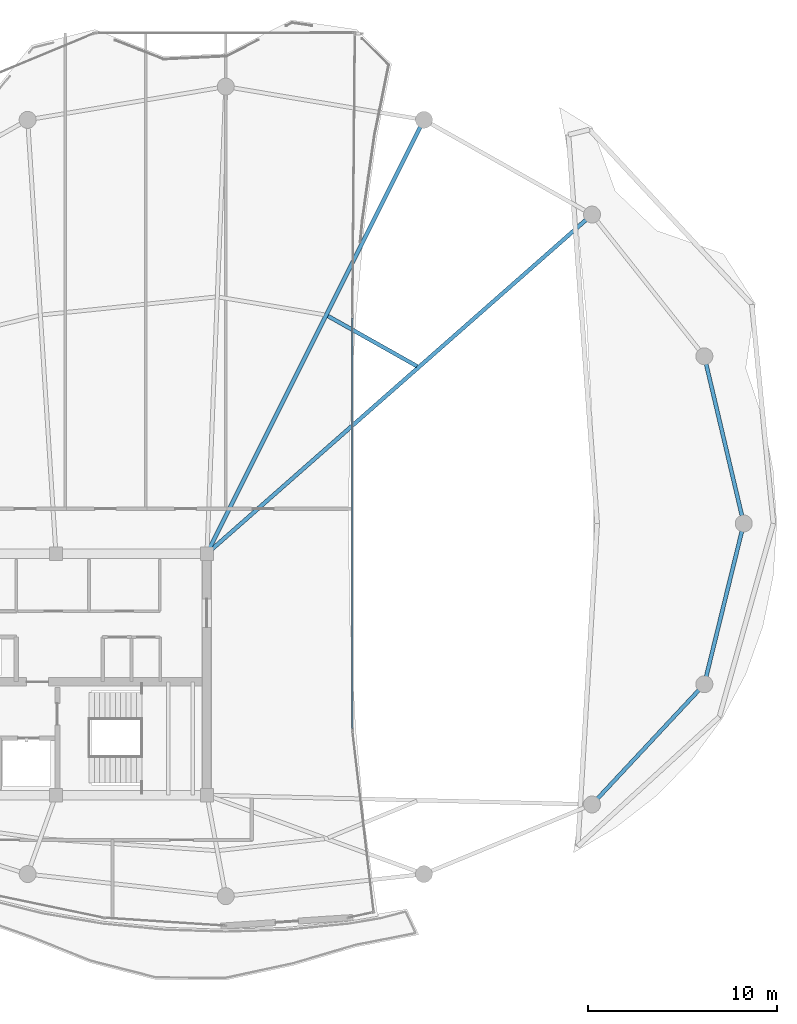
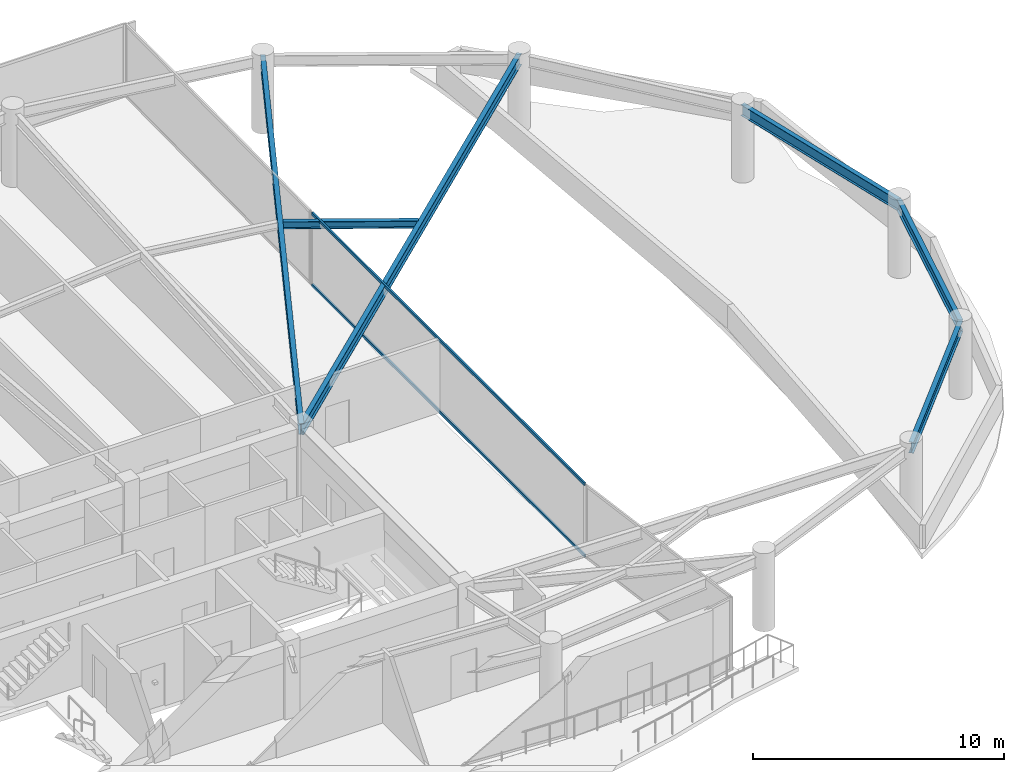
# One storey, part 12 of 22: 6 beams, 2 members, 1 element without a shape of its own.
"""IFC4 building model written with IfcOpenShell, lengths in metres."""

from ifc_helpers import new_model, si_unit, direction, frame, origin, origin_2d, place, context, subcontext, project, spatial, hollow_rectangle, i_section, extrude, material, layer, layer_set, material_profile, profile_set, type_object, element, aggregate, save


model = new_model("IFC4")

# Units and contexts
model_context = context("Model", 3, precision=1e-05, world=origin(), true_north=direction((0.0, 1.0)))
body_context = subcontext(model_context, "Body", "Model", "MODEL_VIEW")
ifc_project = project(units=[si_unit("LENGTHUNIT", "METRE"), si_unit("AREAUNIT", "SQUARE_METRE"), si_unit("VOLUMEUNIT", "CUBIC_METRE"), si_unit("PLANEANGLEUNIT", "RADIAN"), si_unit("MASSUNIT", "GRAM", prefix="KILO")], contexts=[model_context])

# Site, building, storey
site_placement = place(None, origin())
site = spatial("IfcSite", under=ifc_project, at=site_placement, CompositionType="ELEMENT")
building_placement = place(site_placement, origin())
building = spatial("IfcBuilding", under=site, at=building_placement, Name="Kazevale Care Tower and Concert Hall", CompositionType="ELEMENT")
storey_placement = place(building_placement, frame((0.0, 0.0, 273.800048828125)))
storey = spatial("IfcBuildingStorey", under=building, at=storey_placement, Name="L72", CompositionType="ELEMENT", Elevation=273.800048828125)

# Curtain wall, members
ifc_material_1 = material(Name="Aluminium 6063-T6 and Low-E Glass", Category="aluminium")
ifc_layer = layer(ifc_material_1, 0.179931640625)
ifc_layer_set = layer_set([ifc_layer], Name="Aluminium 6063-T6 and Low-E Glass")
curtain_wall_type = type_object("IfcCurtainWallType", Name="Waist & Upper Residential Curtain Wall CW-4", PredefinedType="NOTDEFINED", material=ifc_layer_set)
curtain_wall_placement = place(storey_placement, origin())
curtain_wall = element("IfcCurtainWall", 1, at=curtain_wall_placement, inside=storey, type_object=curtain_wall_type, Name="cw:L72:f14", PredefinedType="NOTDEFINED")
ifc_material_2 = material(Name="Aluminium 6063-T6", Category="aluminium")
ifc_material_profile_1 = material_profile(ifc_material_2, hollow_rectangle(XDim=0.080078125, YDim=0.139892578125, WallThickness=0.00390625, at=origin_2d()), Name="ALU80x140x4")
ifc_profile_set_1 = profile_set([ifc_material_profile_1], Name="Aluminium 6063-T6")
member_type = type_object("IfcMemberType", Name="CW-4 Transom ALU80x140x4", PredefinedType="USERDEFINED", material=ifc_profile_set_1)
member_1_placement = place(storey_placement, frame((51.7119140625, 48.8779296875, 0.0400390625), z_axis=(0.0, -1.0, 0.0), x_axis=(1.0, 0.0, 0.0)))
member_1 = element("IfcMember", 2, at=member_1_placement, type_object=member_type, Name="CW-4 transom 1.1", ObjectType="TRANSOM", PredefinedType="USERDEFINED", context=body_context, shape_type="SweptSolid", body=[
    extrude(hollow_rectangle(XDim=0.080078125, YDim=0.139892578125, WallThickness=0.00390625, at=origin_2d()), origin(), (0.0, 0.0, 1.0), 21.755859375),
])
member_2_placement = place(storey_placement, frame((51.7119140625, 48.8779296875, 3.52001953125), z_axis=(0.0, -1.0, 0.0), x_axis=(1.0, 0.0, 0.0)))
member_2 = element("IfcMember", 3, at=member_2_placement, type_object=member_type, Name="CW-4 transom 1.2", ObjectType="TRANSOM", PredefinedType="USERDEFINED", context=body_context, shape_type="SweptSolid", body=[
    extrude(hollow_rectangle(XDim=0.080078125, YDim=0.139892578125, WallThickness=0.00390625, at=origin_2d()), origin(), (0.0, 0.0, 1.0), 21.755859375),
])
aggregate(curtain_wall, [member_1, member_2])

# Beams
ifc_material_3 = material(Name="Steel ASTM A572 Gr 50", Category="steel")
ifc_material_profile_2 = material_profile(ifc_material_3, i_section(OverallWidth=0.2119140625, OverallDepth=0.5439453125, WebThickness=0.01318359375, FlangeThickness=0.021240234375, at=origin_2d()), Name="W530x123")
ifc_profile_set_2 = profile_set([ifc_material_profile_2], Name="Steel ASTM A572 Gr 50")
beam_type_1 = type_object("IfcBeamType", Name="Radial Floor Girder W530x123", PredefinedType="BEAM", material=ifc_profile_set_2)
beam_1_placement = place(storey_placement, frame((44.0, 36.39990234375, 3.287841796875), z_axis=(0.750540377871, 0.660824591844, 0.0), x_axis=(-0.660824591844, 0.750540377871, 0.0)))
element("IfcBeam", 4, at=beam_1_placement, inside=storey, type_object=beam_type_1, Name="beam:L72:rad:03", PredefinedType="BEAM", context=body_context, shape_type="SweptSolid", body=[
    extrude(i_section(OverallWidth=0.2119140625, OverallDepth=0.5439453125, WebThickness=0.01318359375, FlangeThickness=0.021240234375, at=origin_2d()), origin(), (0.0, 0.0, 1.0), 27.193603515625),
])
beam_2_placement = place(storey_placement, frame((44.0, 36.39990234375, 3.287841796875), z_axis=(0.447369347408, 0.894349298093, 0.0), x_axis=(-0.894349298093, 0.447369347408, 0.0)))
element("IfcBeam", 5, at=beam_2_placement, inside=storey, type_object=beam_type_1, Name="beam:L72:rad:04", PredefinedType="BEAM", context=body_context, shape_type="SweptSolid", body=[
    extrude(i_section(OverallWidth=0.2119140625, OverallDepth=0.5439453125, WebThickness=0.01318359375, FlangeThickness=0.021240234375, at=origin_2d()), origin(), (0.0, 0.0, 1.0), 25.705810546875),
])
ifc_material_profile_3 = material_profile(ifc_material_3, i_section(OverallWidth=0.205078125, OverallDepth=0.35400390625, WebThickness=0.009521484375, FlangeThickness=0.016845703125, at=origin_2d()), Name="W360x79")
ifc_profile_set_3 = profile_set([ifc_material_profile_3], Name="Steel ASTM A572 Gr 50")
beam_type_2 = type_object("IfcBeamType", Name="Secondary Floor Joist W360x79", PredefinedType="JOIST", material=ifc_profile_set_3)
beam_3_placement = place(storey_placement, frame((55.134033203125, 46.3349609375, 3.383056640625), z_axis=(-0.871253873352, 0.490832647823, 0.0), x_axis=(-0.490832647823, -0.871253873352, 0.0)))
element("IfcBeam", 6, at=beam_3_placement, inside=storey, type_object=beam_type_2, Name="beam:L72:joist:03", PredefinedType="JOIST", context=body_context, shape_type="SweptSolid", body=[
    extrude(i_section(OverallWidth=0.205078125, OverallDepth=0.35400390625, WebThickness=0.009521484375, FlangeThickness=0.016845703125, at=origin_2d()), origin(), (0.0, 0.0, 1.0), 5.415283203125),
])
ifc_material_profile_4 = material_profile(ifc_material_3, i_section(OverallWidth=0.208984375, OverallDepth=0.532958984375, WebThickness=0.01025390625, FlangeThickness=0.015625, at=origin_2d()), Name="W530x92")
ifc_profile_set_4 = profile_set([ifc_material_profile_4], Name="Steel ASTM A572 Gr 50")
beam_type_3 = type_object("IfcBeamType", Name="Upper Ring Beam W530x92", PredefinedType="BEAM", material=ifc_profile_set_4)
beam_4_placement = place(storey_placement, frame((72.449951171875, 38.0, 3.29345703125), z_axis=(-0.229571460706, 0.973291808467, 0.0), x_axis=(-0.973291808467, -0.229571460706, 0.0)))
element("IfcBeam", 7, at=beam_4_placement, inside=storey, type_object=beam_type_3, Name="beam:L72:ring:01", PredefinedType="BEAM", context=body_context, shape_type="SweptSolid", body=[
    extrude(i_section(OverallWidth=0.208984375, OverallDepth=0.532958984375, WebThickness=0.01025390625, FlangeThickness=0.015625, at=origin_2d()), origin(), (0.0, 0.0, 1.0), 9.103271484375),
])
beam_5_placement = place(storey_placement, frame((64.409912109375, 23.110107421875, 3.29345703125), z_axis=(0.682623556843, 0.730770196192, 0.0), x_axis=(-0.730770196192, 0.682623556843, 0.0)))
element("IfcBeam", 8, at=beam_5_placement, inside=storey, type_object=beam_type_3, Name="beam:L72:ring:15", PredefinedType="BEAM", context=body_context, shape_type="SweptSolid", body=[
    extrude(i_section(OverallWidth=0.208984375, OverallDepth=0.532958984375, WebThickness=0.01025390625, FlangeThickness=0.015625, at=origin_2d()), origin(), (0.0, 0.0, 1.0), 8.716552734375),
])
beam_6_placement = place(storey_placement, frame((70.360107421875, 29.47998046875, 3.29345703125), z_axis=(0.238224499566, 0.971210115169, 0.0), x_axis=(-0.971210115169, 0.238224499566, 0.0)))
element("IfcBeam", 9, at=beam_6_placement, inside=storey, type_object=beam_type_3, Name="beam:L72:ring:16", PredefinedType="BEAM", context=body_context, shape_type="SweptSolid", body=[
    extrude(i_section(OverallWidth=0.208984375, OverallDepth=0.532958984375, WebThickness=0.01025390625, FlangeThickness=0.015625, at=origin_2d()), origin(), (0.0, 0.0, 1.0), 8.7724609375),
])

save(model, "model.ifc")
